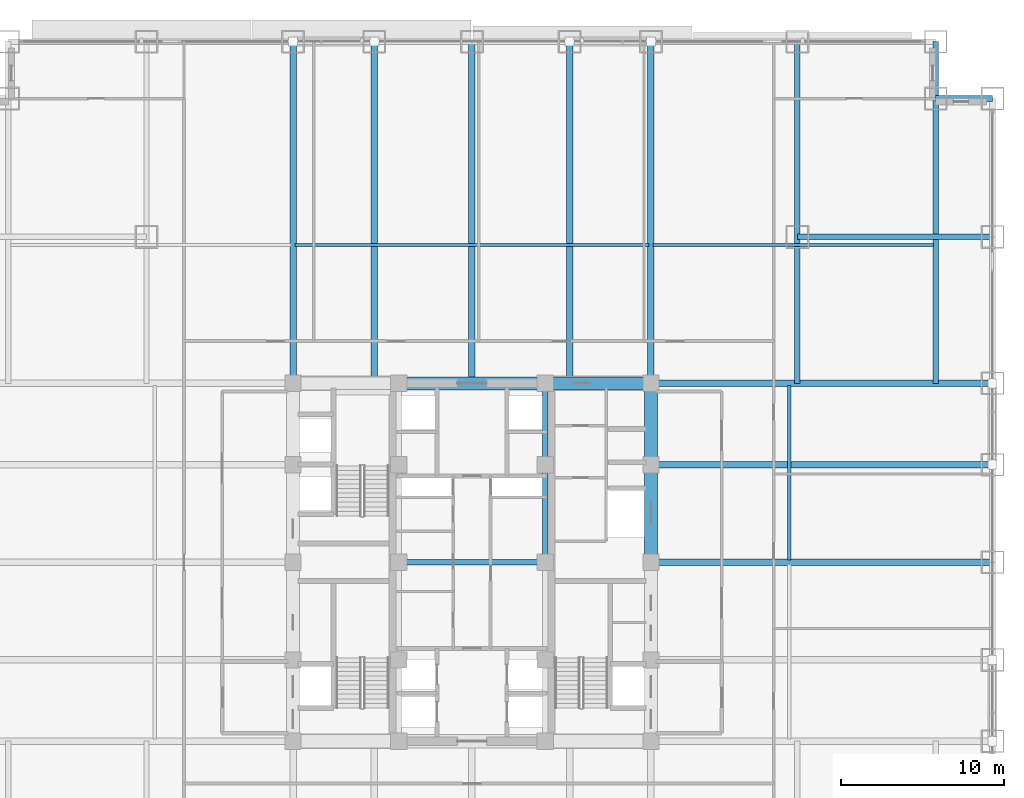
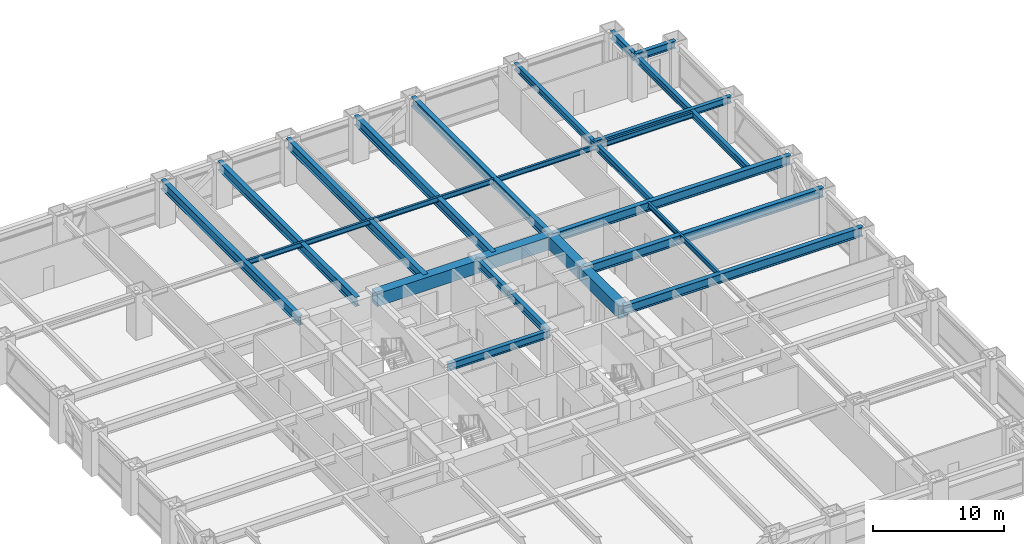
# One storey, part 15 of 31: 23 beams.
"""IFC4 building model written with IfcOpenShell, lengths in metres."""

from ifc_helpers import new_model, si_unit, direction, frame, origin, origin_2d, place, context, subcontext, project, spatial, rectangle, i_section, extrude, source, transform, mapped, material, material_profile, profile_set, type_object, element, save


model = new_model("IFC4")

# Units and contexts
model_context = context("Model", 3, precision=1e-05, world=origin(), true_north=direction((0.0, 1.0)))
body_context = subcontext(model_context, "Body", "Model", "MODEL_VIEW")
ifc_project = project(units=[si_unit("LENGTHUNIT", "METRE"), si_unit("AREAUNIT", "SQUARE_METRE"), si_unit("VOLUMEUNIT", "CUBIC_METRE"), si_unit("PLANEANGLEUNIT", "RADIAN"), si_unit("MASSUNIT", "GRAM", prefix="KILO")], contexts=[model_context])

# Site, building, storey
site_placement = place(None, origin())
site = spatial("IfcSite", under=ifc_project, at=site_placement, CompositionType="ELEMENT")
building_placement = place(site_placement, origin())
building = spatial("IfcBuilding", under=site, at=building_placement, Name="Khorayat Bourse Tower", CompositionType="ELEMENT")
storey_placement = place(building_placement, frame((0.0, 0.0, 36.800048828125)))
storey = spatial("IfcBuildingStorey", under=building, at=storey_placement, Name="L07", CompositionType="ELEMENT", Elevation=36.800048828125)

# Beams
ifc_material_1 = material(Name="Concrete C72/90", Category="concrete")
ifc_material_profile_1 = material_profile(ifc_material_1, rectangle(XDim=0.800048828125, YDim=1.199951171875, at=origin_2d()), Name="RC 800x1200")
ifc_profile_set_1 = profile_set([ifc_material_profile_1], Name="Concrete C72/90")
beam_type_1 = type_object("IfcBeamType", Name="BM-COUP-1200", PredefinedType="BEAM", material=ifc_profile_set_1)
shared_shape_1 = source(origin(), body_context, "Body", "SweptSolid", [
    extrude(rectangle(XDim=0.800048828125, YDim=1.199951171875, at=origin_2d()), origin(), (0.0, 0.0, 1.0), 5.0),
])
beam_1_placement = place(storey_placement, frame((11.0, 6.0, 3.33984375), z_axis=(0.0, 1.0, 0.0), x_axis=(-1.0, 0.0, 0.0)))
element("IfcBeam", 1, at=beam_1_placement, inside=storey, type_object=beam_type_1, Name="L07 BM-COUP-1200 BM-L07-CRX-16", PredefinedType="BEAM", context=body_context, shape_type="MappedRepresentation", body=[
    mapped(shared_shape_1, transform((0.0, 0.0, 0.0), scale=1.0)),
])
shared_shape_2 = source(origin(), body_context, "Body", "SweptSolid", [
    extrude(rectangle(XDim=0.800048828125, YDim=1.199951171875, at=origin_2d()), origin(), (0.0, 0.0, 1.0), 6.0),
])
beam_2_placement = place(storey_placement, frame((11.0, 0.0, 3.33984375), z_axis=(0.0, 1.0, 0.0), x_axis=(-1.0, 0.0, 0.0)))
element("IfcBeam", 2, at=beam_2_placement, inside=storey, type_object=beam_type_1, Name="L07 BM-COUP-1200 BM-L07-CRX-15", PredefinedType="BEAM", context=body_context, shape_type="MappedRepresentation", body=[
    mapped(shared_shape_2, transform((0.0, 0.0, 0.0), scale=1.0)),
])
ifc_material_2 = material(Name="Steel ASTM A992 Grade 50", Category="steel")
ifc_material_profile_2 = material_profile(ifc_material_2, i_section(OverallWidth=0.35498046875, OverallDepth=0.695068359375, WebThickness=0.015380859375, FlangeThickness=0.02490234375, FilletRadius=0.01806640625, at=origin_2d()), Name="W690X217")
ifc_profile_set_2 = profile_set([ifc_material_profile_2], Name="Steel ASTM A992 Grade 50")
beam_type_2 = type_object("IfcBeamType", Name="BM-GIRD-690", PredefinedType="BEAM", material=ifc_profile_set_2)
shared_shape_3 = source(origin(), body_context, "Body", "SweptSolid", [
    extrude(i_section(OverallWidth=0.35498046875, OverallDepth=0.695068359375, WebThickness=0.015380859375, FlangeThickness=0.02490234375, FilletRadius=0.01806640625, at=origin_2d()), origin(), (0.0, 0.0, 1.0), 5.0),
])
beam_3_placement = place(storey_placement, frame((4.5, 6.0, 3.592529296875), z_axis=(0.0, 1.0, 0.0), x_axis=(-1.0, 0.0, 0.0)))
element("IfcBeam", 3, at=beam_3_placement, inside=storey, type_object=beam_type_2, Name="L07 BM-GIRD-690 BM-L07-CRX-12", PredefinedType="BEAM", context=body_context, shape_type="MappedRepresentation", body=[
    mapped(shared_shape_3, transform((0.0, 0.0, 0.0), scale=1.0)),
])
shared_shape_4 = source(origin(), body_context, "Body", "SweptSolid", [
    extrude(i_section(OverallWidth=0.35498046875, OverallDepth=0.695068359375, WebThickness=0.015380859375, FlangeThickness=0.02490234375, FilletRadius=0.01806640625, at=origin_2d()), origin(), (0.0, 0.0, 1.0), 6.0),
])
beam_4_placement = place(storey_placement, frame((4.5, 0.0, 3.592529296875), z_axis=(0.0, 1.0, 0.0), x_axis=(-1.0, 0.0, 0.0)))
element("IfcBeam", 4, at=beam_4_placement, inside=storey, type_object=beam_type_2, Name="L07 BM-GIRD-690 BM-L07-CRX-11", PredefinedType="BEAM", context=body_context, shape_type="MappedRepresentation", body=[
    mapped(shared_shape_4, transform((0.0, 0.0, 0.0), scale=1.0)),
])
shared_shape_5 = source(origin(), body_context, "Body", "SweptSolid", [
    extrude(rectangle(XDim=0.800048828125, YDim=1.199951171875, at=origin_2d()), origin(), (0.0, 0.0, 1.0), 6.5),
])
beam_5_placement = place(storey_placement, frame((4.5, 11.0, 3.33984375), z_axis=(1.0, 0.0, 0.0), x_axis=(0.0, 1.0, 0.0)))
element("IfcBeam", 5, at=beam_5_placement, inside=storey, type_object=beam_type_1, Name="L07 BM-COUP-1200 BM-L07-CRY-22", PredefinedType="BEAM", context=body_context, shape_type="MappedRepresentation", body=[
    mapped(shared_shape_5, transform((0.0, 0.0, 0.0), scale=1.0)),
])
shared_shape_6 = source(origin(), body_context, "Body", "SweptSolid", [
    extrude(rectangle(XDim=0.800048828125, YDim=1.199951171875, at=origin_2d()), origin(), (0.0, 0.0, 1.0), 9.0),
])
beam_6_placement = place(storey_placement, frame((-4.5, 11.0, 3.33984375), z_axis=(1.0, 0.0, 0.0), x_axis=(0.0, 1.0, 0.0)))
element("IfcBeam", 6, at=beam_6_placement, inside=storey, type_object=beam_type_1, Name="L07 BM-COUP-1200 BM-L07-CRY-21", PredefinedType="BEAM", context=body_context, shape_type="MappedRepresentation", body=[
    mapped(shared_shape_6, transform((0.0, 0.0, 0.0), scale=1.0)),
])
shared_shape_7 = source(origin(), body_context, "Body", "SweptSolid", [
    extrude(i_section(OverallWidth=0.35498046875, OverallDepth=0.695068359375, WebThickness=0.015380859375, FlangeThickness=0.02490234375, FilletRadius=0.01806640625, at=origin_2d()), origin(), (0.0, 0.0, 1.0), 9.0),
])
beam_7_placement = place(storey_placement, frame((-4.5, 0.0, 3.592529296875), z_axis=(1.0, 0.0, 0.0), x_axis=(0.0, 1.0, 0.0)))
element("IfcBeam", 7, at=beam_7_placement, inside=storey, type_object=beam_type_2, Name="L07 BM-GIRD-690 BM-L07-CRY-23", PredefinedType="BEAM", context=body_context, shape_type="MappedRepresentation", body=[
    mapped(shared_shape_7, transform((0.0, 0.0, 0.0), scale=1.0)),
])
ifc_material_profile_3 = material_profile(ifc_material_2, i_section(OverallWidth=0.35498046875, OverallDepth=0.695068359375, WebThickness=0.015380859375, FlangeThickness=0.02490234375, FilletRadius=0.01806640625, at=origin_2d()), Name="W690X217")
ifc_profile_set_3 = profile_set([ifc_material_profile_3], Name="Steel ASTM A992 Grade 50")
beam_type_3 = type_object("IfcBeamType", Name="BM-SPAN-690", PredefinedType="SPANDREL", material=ifc_profile_set_3)
shared_shape_8 = source(origin(), body_context, "Body", "SweptSolid", [
    extrude(i_section(OverallWidth=0.35498046875, OverallDepth=0.695068359375, WebThickness=0.015380859375, FlangeThickness=0.02490234375, FilletRadius=0.01806640625, at=origin_2d()), origin(), (0.0, 0.0, 1.0), 3.5),
])
for number, where, z_axis, x_axis, name in (
    (8, (28.5, 28.5, 3.592529296875), (1.0, 0.0, 0.0), (0.0, 1.0, 0.0), "L07 BM-SPAN-690 BM-L07-SPN-042"),
    (9, (28.5, 28.5, 3.592529296875), (0.0, 1.0, 0.0), (-1.0, 0.0, 0.0), "L07 BM-SPAN-690 BM-L07-SPN-043"),
):
    element("IfcBeam", number, at=place(storey_placement, frame(where, z_axis=z_axis, x_axis=x_axis)), inside=storey, type_object=beam_type_3, Name=name, PredefinedType="SPANDREL", context=body_context, shape_type="MappedRepresentation", body=[
        mapped(shared_shape_8, transform((0.0, 0.0, 0.0), scale=1.0)),
    ])
ifc_material_profile_4 = material_profile(ifc_material_2, i_section(OverallWidth=0.39990234375, OverallDepth=0.85498046875, WebThickness=0.018310546875, FlangeThickness=0.029296875, FilletRadius=0.02001953125, at=origin_2d()), Name="W840X299")
ifc_profile_set_4 = profile_set([ifc_material_profile_4], Name="Steel ASTM A992 Grade 50")
beam_type_4 = type_object("IfcBeamType", Name="BM-GIRD-840", PredefinedType="BEAM", material=ifc_profile_set_4)
shared_shape_9 = source(origin(), body_context, "Body", "SweptSolid", [
    extrude(i_section(OverallWidth=0.39990234375, OverallDepth=0.85498046875, WebThickness=0.018310546875, FlangeThickness=0.029296875, FilletRadius=0.02001953125, at=origin_2d()), origin(), (0.0, 0.0, 1.0), 21.0),
])
for number, where, z_axis, x_axis, name in (
    (10, (-11.0, 11.0, 3.512451171875), (0.0, 1.0, 0.0), (-1.0, 0.0, 0.0), "L07 BM-GIRD-840 BM-L07-RADY-064"),
    (11, (-6.0, 11.0, 3.512451171875), (0.0, 1.0, 0.0), (-1.0, 0.0, 0.0), "L07 BM-GIRD-840 BM-L07-RADY-066"),
    (12, (0.0, 11.0, 3.512451171875), (0.0, 1.0, 0.0), (-1.0, 0.0, 0.0), "L07 BM-GIRD-840 BM-L07-RADY-068"),
    (13, (6.0, 11.0, 3.512451171875), (0.0, 1.0, 0.0), (-1.0, 0.0, 0.0), "L07 BM-GIRD-840 BM-L07-RADY-070"),
    (14, (11.0, 11.0, 3.512451171875), (0.0, 1.0, 0.0), (-1.0, 0.0, 0.0), "L07 BM-GIRD-840 BM-L07-RADY-072"),
    (15, (11.0, 0.0, 3.512451171875), (1.0, 0.0, 0.0), (0.0, 1.0, 0.0), "L07 BM-GIRD-840 BM-L07-RADX-078"),
    (16, (11.0, 6.0, 3.512451171875), (1.0, 0.0, 0.0), (0.0, 1.0, 0.0), "L07 BM-GIRD-840 BM-L07-RADX-080"),
    (17, (11.0, 11.0, 3.512451171875), (1.0, 0.0, 0.0), (0.0, 1.0, 0.0), "L07 BM-GIRD-840 BM-L07-RADX-082"),
):
    element("IfcBeam", number, at=place(storey_placement, frame(where, z_axis=z_axis, x_axis=x_axis)), inside=storey, type_object=beam_type_4, Name=name, PredefinedType="BEAM", context=body_context, shape_type="MappedRepresentation", body=[
        mapped(shared_shape_9, transform((0.0, 0.0, 0.0), scale=1.0)),
    ])
ifc_material_profile_5 = material_profile(ifc_material_2, i_section(OverallWidth=0.324951171875, OverallDepth=0.615966796875, WebThickness=0.013916015625, FlangeThickness=0.021484375, FilletRadius=0.01611328125, at=origin_2d()), Name="W610X174")
ifc_profile_set_5 = profile_set([ifc_material_profile_5], Name="Steel ASTM A992 Grade 50")
beam_type_5 = type_object("IfcBeamType", Name="BM-GIRD-610", PredefinedType="BEAM", material=ifc_profile_set_5)
shared_shape_10 = source(origin(), body_context, "Body", "SweptSolid", [
    extrude(i_section(OverallWidth=0.324951171875, OverallDepth=0.615966796875, WebThickness=0.013916015625, FlangeThickness=0.021484375, FilletRadius=0.01611328125, at=origin_2d()), origin(), (0.0, 0.0, 1.0), 21.0),
])
beam_8_placement = place(storey_placement, frame((20.0, 11.0, 3.6318359375), z_axis=(0.0, 1.0, 0.0), x_axis=(-1.0, 0.0, 0.0)))
element("IfcBeam", 18, at=beam_8_placement, inside=storey, type_object=beam_type_5, Name="L07 BM-GIRD-610 BM-L07-CNRY-087", PredefinedType="BEAM", context=body_context, shape_type="MappedRepresentation", body=[
    mapped(shared_shape_10, transform((0.0, 0.0, 0.0), scale=1.0)),
])
shared_shape_11 = source(origin(), body_context, "Body", "SweptSolid", [
    extrude(i_section(OverallWidth=0.324951171875, OverallDepth=0.615966796875, WebThickness=0.013916015625, FlangeThickness=0.021484375, FilletRadius=0.01611328125, at=origin_2d()), origin(), (0.0, 0.0, 1.0), 17.5),
])
beam_9_placement = place(storey_placement, frame((28.5, 11.0, 3.6318359375), z_axis=(0.0, 1.0, 0.0), x_axis=(-1.0, 0.0, 0.0)))
element("IfcBeam", 19, at=beam_9_placement, inside=storey, type_object=beam_type_5, Name="L07 BM-GIRD-610 BM-L07-CNRY-091", PredefinedType="BEAM", context=body_context, shape_type="MappedRepresentation", body=[
    mapped(shared_shape_11, transform((0.0, 0.0, 0.0), scale=1.0)),
])
shared_shape_12 = source(origin(), body_context, "Body", "SweptSolid", [
    extrude(i_section(OverallWidth=0.324951171875, OverallDepth=0.615966796875, WebThickness=0.013916015625, FlangeThickness=0.021484375, FilletRadius=0.01611328125, at=origin_2d()), origin(), (0.0, 0.0, 1.0), 12.0),
])
beam_10_placement = place(storey_placement, frame((20.0, 20.0, 3.6318359375), z_axis=(1.0, 0.0, 0.0), x_axis=(0.0, 1.0, 0.0)))
element("IfcBeam", 20, at=beam_10_placement, inside=storey, type_object=beam_type_5, Name="L07 BM-GIRD-610 BM-L07-CNRX-094", PredefinedType="BEAM", context=body_context, shape_type="MappedRepresentation", body=[
    mapped(shared_shape_12, transform((0.0, 0.0, 0.0), scale=1.0)),
])
ifc_material_profile_6 = material_profile(ifc_material_2, i_section(OverallWidth=0.194091796875, OverallDepth=0.468994140625, WebThickness=0.0126953125, FlangeThickness=0.0205078125, FilletRadius=0.012939453125, at=origin_2d()), Name="W460X106")
ifc_profile_set_6 = profile_set([ifc_material_profile_6], Name="Steel ASTM A992 Grade 50")
beam_type_6 = type_object("IfcBeamType", Name="BM-JOIST-460", PredefinedType="JOIST", material=ifc_profile_set_6)
shared_shape_13 = source(origin(), body_context, "Body", "SweptSolid", [
    extrude(i_section(OverallWidth=0.194091796875, OverallDepth=0.468994140625, WebThickness=0.0126953125, FlangeThickness=0.0205078125, FilletRadius=0.012939453125, at=origin_2d()), origin(), (0.0, 0.0, 1.0), 17.240234375),
])
beam_11_placement = place(storey_placement, frame((11.1298828125, 19.5, 3.70556640625), z_axis=(1.0, 0.0, 0.0), x_axis=(0.0, 1.0, 0.0)))
element("IfcBeam", 21, at=beam_11_placement, inside=storey, type_object=beam_type_6, Name="L07 BM-JOIST-460 BM-L07-JSTX-101", PredefinedType="JOIST", context=body_context, shape_type="MappedRepresentation", body=[
    mapped(shared_shape_13, transform((0.0, 0.0, 0.0), scale=1.0)),
])
shared_shape_14 = source(origin(), body_context, "Body", "SweptSolid", [
    extrude(i_section(OverallWidth=0.194091796875, OverallDepth=0.468994140625, WebThickness=0.0126953125, FlangeThickness=0.0205078125, FilletRadius=0.012939453125, at=origin_2d()), origin(), (0.0, 0.0, 1.0), 21.740234375),
])
beam_12_placement = place(storey_placement, frame((-10.8701171875, 19.5, 3.70556640625), z_axis=(1.0, 0.0, 0.0), x_axis=(0.0, 1.0, 0.0)))
element("IfcBeam", 22, at=beam_12_placement, inside=storey, type_object=beam_type_6, Name="L07 BM-JOIST-460 BM-L07-JSTX-100", PredefinedType="JOIST", context=body_context, shape_type="MappedRepresentation", body=[
    mapped(shared_shape_14, transform((0.0, 0.0, 0.0), scale=1.0)),
])
shared_shape_15 = source(origin(), body_context, "Body", "SweptSolid", [
    extrude(i_section(OverallWidth=0.194091796875, OverallDepth=0.468994140625, WebThickness=0.0126953125, FlangeThickness=0.0205078125, FilletRadius=0.012939453125, at=origin_2d()), origin(), (0.0, 0.0, 1.0), 10.740234375),
])
beam_13_placement = place(storey_placement, frame((19.5, 0.1298828125, 3.70556640625), z_axis=(0.0, 1.0, 0.0), x_axis=(-1.0, 0.0, 0.0)))
element("IfcBeam", 23, at=beam_13_placement, inside=storey, type_object=beam_type_6, Name="L07 BM-JOIST-460 BM-L07-JSTY-105", PredefinedType="JOIST", context=body_context, shape_type="MappedRepresentation", body=[
    mapped(shared_shape_15, transform((0.0, 0.0, 0.0), scale=1.0)),
])

save(model, "model.ifc")
